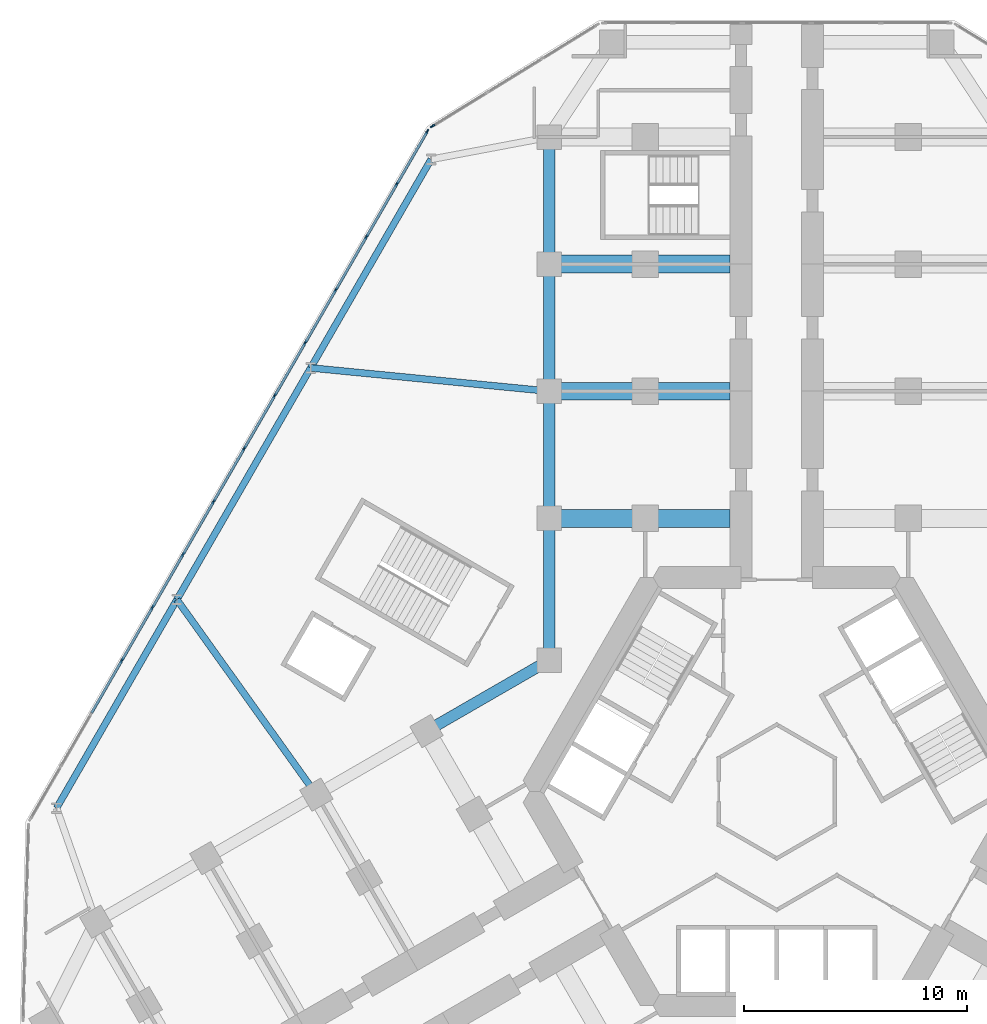
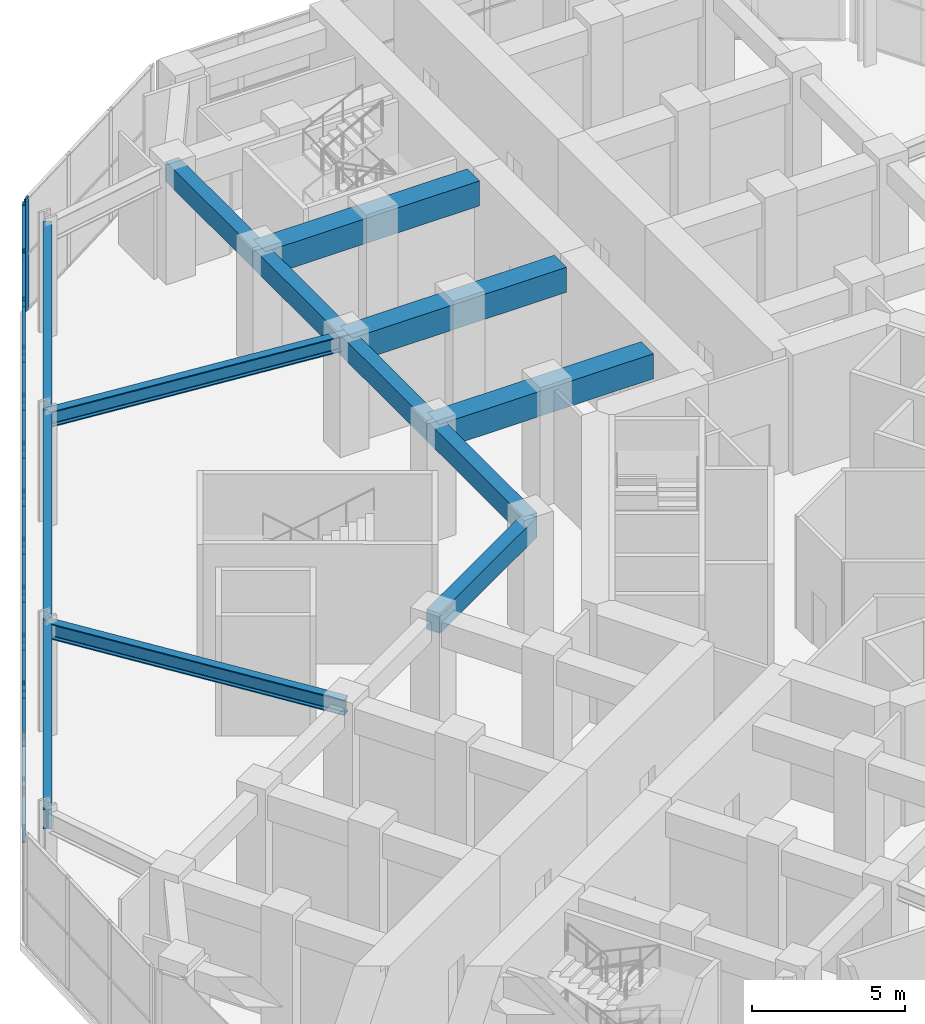
# One storey, part 7 of 22: 45 members, 13 beams, 2 elements without a shape of their own.
"""IFC4 building model written with IfcOpenShell, lengths in metres."""

from ifc_helpers import new_model, si_unit, direction, frame, origin, origin_2d, place, context, subcontext, project, spatial, rectangle, i_section, extrude, material, material_profile, profile_set, type_object, element, aggregate, save


model = new_model("IFC4")

# Units and contexts
model_context = context("Model", 3, precision=1e-05, world=origin(), true_north=direction((0.0, 1.0)))
body_context = subcontext(model_context, "Body", "Model", "MODEL_VIEW")
ifc_project = project(units=[si_unit("LENGTHUNIT", "METRE"), si_unit("AREAUNIT", "SQUARE_METRE"), si_unit("VOLUMEUNIT", "CUBIC_METRE"), si_unit("PLANEANGLEUNIT", "RADIAN"), si_unit("MASSUNIT", "GRAM", prefix="KILO")], contexts=[model_context])

# Site, building, storey
site_placement = place(None, origin())
site = spatial("IfcSite", under=ifc_project, at=site_placement, CompositionType="ELEMENT")
building_placement = place(site_placement, origin())
building = spatial("IfcBuilding", under=site, at=building_placement, Name="Kosmar Iwan School Tower", CompositionType="ELEMENT")
storey_placement = place(building_placement, frame((0.0, 0.0, 10.800048828125)))
storey = spatial("IfcBuildingStorey", under=building, at=storey_placement, Name="L02", CompositionType="ELEMENT", Elevation=10.800048828125)

# Beams
ifc_material_1 = material(Name="Steel S355", Category="steel")
ifc_material_profile_1 = material_profile(ifc_material_1, i_section(OverallWidth=0.300048828125, OverallDepth=0.800048828125, WebThickness=0.017578125, FlangeThickness=0.032958984375, FilletRadius=0.030029296875, at=origin_2d()), Name="HE 800 B")
ifc_profile_set_1 = profile_set([ifc_material_profile_1], Name="Steel S355")
beam_type_1 = type_object("IfcBeamType", Name="Infill edge beam HE 800 B", PredefinedType="BEAM", material=ifc_profile_set_1)
beam_1_placement = place(storey_placement, frame((-32.30224609375, -0.749267578125, 4.099853515625), z_axis=(0.499995103361, 0.866028230842, 0.0), x_axis=(-0.866028230842, 0.499995103361, 0.0)))
element("IfcBeam", 1, at=beam_1_placement, inside=storey, type_object=beam_type_1, Name="Infill edge beam AB2", PredefinedType="BEAM", context=body_context, shape_type="SweptSolid", body=[
    extrude(i_section(OverallWidth=0.300048828125, OverallDepth=0.800048828125, WebThickness=0.017578125, FlangeThickness=0.032958984375, FilletRadius=0.030029296875, at=origin_2d()), origin(), (0.0, 0.0, 1.0), 10.7998046875),
])
beam_2_placement = place(storey_placement, frame((-26.90234375, 8.603759765625, 4.099853515625), z_axis=(0.49999894854, 0.866026010844, 0.0), x_axis=(-0.866026010844, 0.49999894854, 0.0)))
element("IfcBeam", 2, at=beam_2_placement, inside=storey, type_object=beam_type_1, Name="Infill edge beam AB3", PredefinedType="BEAM", context=body_context, shape_type="SweptSolid", body=[
    extrude(i_section(OverallWidth=0.300048828125, OverallDepth=0.800048828125, WebThickness=0.017578125, FlangeThickness=0.032958984375, FilletRadius=0.030029296875, at=origin_2d()), origin(), (0.0, 0.0, 1.0), 12.0),
])
beam_3_placement = place(storey_placement, frame((-20.90234375, 18.99609375, 4.099853515625), z_axis=(0.500012057535, 0.866018442252, 0.0), x_axis=(-0.866018442252, 0.500012057535, 0.0)))
element("IfcBeam", 3, at=beam_3_placement, inside=storey, type_object=beam_type_1, Name="Infill edge beam AB4", PredefinedType="BEAM", context=body_context, shape_type="SweptSolid", body=[
    extrude(i_section(OverallWidth=0.300048828125, OverallDepth=0.800048828125, WebThickness=0.017578125, FlangeThickness=0.032958984375, FilletRadius=0.030029296875, at=origin_2d()), origin(), (0.0, 0.0, 1.0), 10.800048828125),
])
ifc_material_2 = material(Name="Steel S355", Category="steel")
ifc_material_profile_2 = material_profile(ifc_material_2, i_section(OverallWidth=0.304931640625, OverallDepth=0.6201171875, WebThickness=0.02099609375, FlangeThickness=0.0400390625, FilletRadius=0.027099609375, at=origin_2d()), Name="HE 600 M")
ifc_profile_set_2 = profile_set([ifc_material_profile_2], Name="Steel S355")
beam_type_2 = type_object("IfcBeamType", Name="Infill girder HE 600 M", PredefinedType="BEAM", material=ifc_profile_set_2)
beam_4_placement = place(storey_placement, frame((-26.90234375, 8.603759765625, 4.18994140625), z_axis=(0.58187801822, -0.813276073614, 0.0), x_axis=(0.813276073614, 0.58187801822, 0.0)))
element("IfcBeam", 4, at=beam_4_placement, inside=storey, type_object=beam_type_2, Name="Infill girder AB2", PredefinedType="BEAM", context=body_context, shape_type="SweptSolid", body=[
    extrude(i_section(OverallWidth=0.304931640625, OverallDepth=0.6201171875, WebThickness=0.02099609375, FlangeThickness=0.0400390625, FilletRadius=0.027099609375, at=origin_2d()), origin(), (0.0, 0.0, 1.0), 10.753173828125),
])
beam_5_placement = place(storey_placement, frame((-20.90234375, 18.99609375, 4.18994140625), z_axis=(0.995256582335, -0.09728481546, 0.0), x_axis=(0.09728481546, 0.995256582335, 0.0)))
element("IfcBeam", 5, at=beam_5_placement, inside=storey, type_object=beam_type_2, Name="Infill girder AB3", PredefinedType="BEAM", context=body_context, shape_type="SweptSolid", body=[
    extrude(i_section(OverallWidth=0.304931640625, OverallDepth=0.6201171875, WebThickness=0.02099609375, FlangeThickness=0.0400390625, FilletRadius=0.027099609375, at=origin_2d()), origin(), (0.0, 0.0, 1.0), 10.75341796875),
])

# Curtain wall, member
ifc_material_3 = material(Name="Dark glass in black aluminium frame", Category="aluminium")
curtain_wall_type = type_object("IfcCurtainWallType", Name="Podium curtain wall", PredefinedType="USERDEFINED", material=ifc_material_3)
curtain_wall_1_placement = place(storey_placement, origin())
curtain_wall_1 = element("IfcCurtainWall", 6, at=curtain_wall_1_placement, inside=storey, type_object=curtain_wall_type, Name="Curtain wall L02-F07", ObjectType="STICK CURTAIN WALL", PredefinedType="USERDEFINED")
ifc_material_4 = material(Name="Black anodised aluminium", Category="aluminium")
ifc_material_profile_3 = material_profile(ifc_material_4, rectangle(XDim=0.06494140625, YDim=0.219970703125, at=origin_2d()), Name="MULLION 65x220")
ifc_profile_set_3 = profile_set([ifc_material_profile_3], Name="Black anodised aluminium")
member_type_1 = type_object("IfcMemberType", Name="Podium mullion 65x220", PredefinedType="MULLION", material=ifc_profile_set_3)
member_1_placement = place(storey_placement, frame((-15.433837890625, 29.84423828125, 0.0), z_axis=(0.0, 0.0, 1.0), x_axis=(0.524381722801, -0.851483299186, 0.0)))
member_1 = element("IfcMember", 7, at=member_1_placement, type_object=member_type_1, Name="CW3 mullion 4", PredefinedType="MULLION", context=body_context, shape_type="SweptSolid", body=[
    extrude(rectangle(XDim=0.06494140625, YDim=0.219970703125, at=origin_2d()), origin(), (0.0, 0.0, 1.0), 4.5),
])
aggregate(curtain_wall_1, [member_1])

# Curtain wall, members
curtain_wall_2_placement = place(storey_placement, origin())
curtain_wall_2 = element("IfcCurtainWall", 8, at=curtain_wall_2_placement, inside=storey, type_object=curtain_wall_type, Name="Curtain wall L02-F08", ObjectType="STICK CURTAIN WALL", PredefinedType="USERDEFINED")
member_2_placement = place(storey_placement, frame((-15.680419921875, 29.590576171875, 0.0), z_axis=(0.0, 0.0, 1.0), x_axis=(0.866025390869, -0.50000002237, 0.0)))
member_2 = element("IfcMember", 9, at=member_2_placement, type_object=member_type_1, Name="CW3 mullion 1", PredefinedType="MULLION", context=body_context, shape_type="SweptSolid", body=[
    extrude(rectangle(XDim=0.06494140625, YDim=0.219970703125, at=origin_2d()), origin(), (0.0, 0.0, 1.0), 4.5),
])
member_3_placement = place(storey_placement, frame((-17.034912109375, 27.24462890625, 0.0), z_axis=(0.0, 0.0, 1.0), x_axis=(0.866025390869, -0.50000002237, 0.0)))
member_3 = element("IfcMember", 10, at=member_3_placement, type_object=member_type_1, Name="CW3 mullion 2", PredefinedType="MULLION", context=body_context, shape_type="SweptSolid", body=[
    extrude(rectangle(XDim=0.06494140625, YDim=0.219970703125, at=origin_2d()), origin(), (0.0, 0.0, 1.0), 4.5),
])
member_4_placement = place(storey_placement, frame((-18.405517578125, 24.87060546875, 0.0), z_axis=(0.0, 0.0, 1.0), x_axis=(0.866025390869, -0.50000002237, 0.0)))
member_4 = element("IfcMember", 11, at=member_4_placement, type_object=member_type_1, Name="CW3 mullion 3", PredefinedType="MULLION", context=body_context, shape_type="SweptSolid", body=[
    extrude(rectangle(XDim=0.06494140625, YDim=0.219970703125, at=origin_2d()), origin(), (0.0, 0.0, 1.0), 4.5),
])
member_5_placement = place(storey_placement, frame((-19.776123046875, 22.49658203125, 0.0), z_axis=(0.0, 0.0, 1.0), x_axis=(0.866025390869, -0.50000002237, 0.0)))
member_5 = element("IfcMember", 12, at=member_5_placement, type_object=member_type_1, Name="CW3 mullion 4", PredefinedType="MULLION", context=body_context, shape_type="SweptSolid", body=[
    extrude(rectangle(XDim=0.06494140625, YDim=0.219970703125, at=origin_2d()), origin(), (0.0, 0.0, 1.0), 4.5),
])
member_6_placement = place(storey_placement, frame((-21.14697265625, 20.12255859375, 0.0), z_axis=(0.0, 0.0, 1.0), x_axis=(0.866025390869, -0.50000002237, 0.0)))
member_6 = element("IfcMember", 13, at=member_6_placement, type_object=member_type_1, Name="CW3 mullion 5", PredefinedType="MULLION", context=body_context, shape_type="SweptSolid", body=[
    extrude(rectangle(XDim=0.06494140625, YDim=0.219970703125, at=origin_2d()), origin(), (0.0, 0.0, 1.0), 4.5),
])
member_7_placement = place(storey_placement, frame((-22.517578125, 17.74853515625, 0.0), z_axis=(0.0, 0.0, 1.0), x_axis=(0.866025390869, -0.50000002237, 0.0)))
member_7 = element("IfcMember", 14, at=member_7_placement, type_object=member_type_1, Name="CW3 mullion 6", PredefinedType="MULLION", context=body_context, shape_type="SweptSolid", body=[
    extrude(rectangle(XDim=0.06494140625, YDim=0.219970703125, at=origin_2d()), origin(), (0.0, 0.0, 1.0), 4.5),
])
member_8_placement = place(storey_placement, frame((-23.88818359375, 15.37451171875, 0.0), z_axis=(0.0, 0.0, 1.0), x_axis=(0.866025390869, -0.50000002237, 0.0)))
member_8 = element("IfcMember", 15, at=member_8_placement, type_object=member_type_1, Name="CW3 mullion 7", PredefinedType="MULLION", context=body_context, shape_type="SweptSolid", body=[
    extrude(rectangle(XDim=0.06494140625, YDim=0.219970703125, at=origin_2d()), origin(), (0.0, 0.0, 1.0), 4.5),
])
member_9_placement = place(storey_placement, frame((-25.2587890625, 13.00048828125, 0.0), z_axis=(0.0, 0.0, 1.0), x_axis=(0.866025390869, -0.50000002237, 0.0)))
member_9 = element("IfcMember", 16, at=member_9_placement, type_object=member_type_1, Name="CW3 mullion 8", PredefinedType="MULLION", context=body_context, shape_type="SweptSolid", body=[
    extrude(rectangle(XDim=0.06494140625, YDim=0.219970703125, at=origin_2d()), origin(), (0.0, 0.0, 1.0), 4.5),
])
member_10_placement = place(storey_placement, frame((-26.62939453125, 10.62646484375, 0.0), z_axis=(0.0, 0.0, 1.0), x_axis=(0.866025390869, -0.50000002237, 0.0)))
member_10 = element("IfcMember", 17, at=member_10_placement, type_object=member_type_1, Name="CW3 mullion 9", PredefinedType="MULLION", context=body_context, shape_type="SweptSolid", body=[
    extrude(rectangle(XDim=0.06494140625, YDim=0.219970703125, at=origin_2d()), origin(), (0.0, 0.0, 1.0), 4.5),
])
member_11_placement = place(storey_placement, frame((-28.0, 8.25244140625, 0.0), z_axis=(0.0, 0.0, 1.0), x_axis=(0.866025390869, -0.50000002237, 0.0)))
member_11 = element("IfcMember", 18, at=member_11_placement, type_object=member_type_1, Name="CW3 mullion 10", PredefinedType="MULLION", context=body_context, shape_type="SweptSolid", body=[
    extrude(rectangle(XDim=0.06494140625, YDim=0.219970703125, at=origin_2d()), origin(), (0.0, 0.0, 1.0), 4.5),
])
member_12_placement = place(storey_placement, frame((-29.370849609375, 5.87841796875, 0.0), z_axis=(0.0, 0.0, 1.0), x_axis=(0.866025390869, -0.50000002237, 0.0)))
member_12 = element("IfcMember", 19, at=member_12_placement, type_object=member_type_1, Name="CW3 mullion 11", PredefinedType="MULLION", context=body_context, shape_type="SweptSolid", body=[
    extrude(rectangle(XDim=0.06494140625, YDim=0.219970703125, at=origin_2d()), origin(), (0.0, 0.0, 1.0), 4.5),
])

# Beams
ifc_material_5 = material(Name="Concrete C50/60", Category="concrete")
ifc_material_profile_4 = material_profile(ifc_material_5, rectangle(XDim=0.5, YDim=0.800048828125, at=origin_2d()), Name="RC 500x800")
ifc_profile_set_4 = profile_set([ifc_material_profile_4], Name="Concrete C50/60")
beam_type_3 = type_object("IfcBeamType", Name="RC edge beam 500x800", PredefinedType="BEAM", material=ifc_profile_set_4)
beam_6_placement = place(storey_placement, frame((-10.199951171875, 5.888916015625, 4.099853515625), z_axis=(0.0, 1.0, 0.0), x_axis=(-1.0, 0.0, 0.0)))
element("IfcBeam", 20, at=beam_6_placement, inside=storey, type_object=beam_type_3, Name="Edge beam AL1", PredefinedType="BEAM", context=body_context, shape_type="SweptSolid", body=[
    extrude(rectangle(XDim=0.5, YDim=0.800048828125, at=origin_2d()), origin(), (0.0, 0.0, 1.0), 6.361083984375),
])
for number, where, z_axis, x_axis, name in (
    (21, (-10.199951171875, 12.25, 4.099853515625), (0.0, 1.0, 0.0), (-1.0, 0.0, 0.0), "Edge beam AL2"),
    (22, (-10.199951171875, 17.949951171875, 4.099853515625), (0.0, 1.0, 0.0), (-1.0, 0.0, 0.0), "Edge beam AL3"),
):
    element("IfcBeam", number, at=place(storey_placement, frame(where, z_axis=z_axis, x_axis=x_axis)), inside=storey, type_object=beam_type_3, Name=name, PredefinedType="BEAM", context=body_context, shape_type="SweptSolid", body=[
        extrude(rectangle(XDim=0.5, YDim=0.800048828125, at=origin_2d()), origin(), (0.0, 0.0, 1.0), 5.699951171875),
    ])
beam_7_placement = place(storey_placement, frame((-10.199951171875, 23.64990234375, 4.099853515625), z_axis=(0.0, 1.0, 0.0), x_axis=(-1.0, 0.0, 0.0)))
element("IfcBeam", 23, at=beam_7_placement, inside=storey, type_object=beam_type_3, Name="Edge beam AL4", PredefinedType="BEAM", context=body_context, shape_type="SweptSolid", body=[
    extrude(rectangle(XDim=0.5, YDim=0.800048828125, at=origin_2d()), origin(), (0.0, 0.0, 1.0), 5.7001953125),
])
beam_8_placement = place(storey_placement, frame((-10.199951171875, 5.888916015625, 4.099853515625), z_axis=(-0.866030912664, -0.49999045822, 0.0), x_axis=(0.49999045822, -0.866030912664, 0.0)))
element("IfcBeam", 24, at=beam_8_placement, inside=storey, type_object=beam_type_3, Name="Edge beam BR1", PredefinedType="BEAM", context=body_context, shape_type="SweptSolid", body=[
    extrude(rectangle(XDim=0.5, YDim=0.800048828125, at=origin_2d()), origin(), (0.0, 0.0, 1.0), 6.36083984375),
])
ifc_material_6 = material(Name="Concrete C50/60", Category="concrete")
ifc_material_profile_5 = material_profile(ifc_material_6, rectangle(XDim=0.800048828125, YDim=1.0, at=origin_2d()), Name="RC 800x1000")
ifc_profile_set_5 = profile_set([ifc_material_profile_5], Name="Concrete C50/60")
beam_type_4 = type_object("IfcBeamType", Name="RC transverse beam 800x1000", PredefinedType="BEAM", material=ifc_profile_set_5)
for number, where, z_axis, x_axis, name in (
    (25, (-10.199951171875, 12.25, 4.0), (1.0, 0.0, 0.0), (0.0, 1.0, 0.0), "Transverse beam AL1"),
    (26, (-10.199951171875, 17.949951171875, 4.0), (1.0, 0.0, 0.0), (0.0, 1.0, 0.0), "Transverse beam AL2"),
    (27, (-10.199951171875, 23.64990234375, 4.0), (1.0, 0.0, 0.0), (0.0, 1.0, 0.0), "Transverse beam AL3"),
):
    element("IfcBeam", number, at=place(storey_placement, frame(where, z_axis=z_axis, x_axis=x_axis)), inside=storey, type_object=beam_type_4, Name=name, PredefinedType="BEAM", context=body_context, shape_type="SweptSolid", body=[
        extrude(rectangle(XDim=0.800048828125, YDim=1.0, at=origin_2d()), origin(), (0.0, 0.0, 1.0), 8.099853515625),
    ])

# Member
ifc_material_7 = material(Name="Black anodised aluminium", Category="aluminium")
ifc_material_profile_6 = material_profile(ifc_material_7, rectangle(XDim=0.1201171875, YDim=0.06005859375, at=origin_2d()), Name="TRANSOM 60x120")
ifc_profile_set_6 = profile_set([ifc_material_profile_6], Name="Black anodised aluminium")
member_type_2 = type_object("IfcMemberType", Name="Transom 60x120", PredefinedType="USERDEFINED", material=ifc_profile_set_6)
member_13_placement = place(storey_placement, frame((-15.69677734375, 29.5625, 0.030029296875), z_axis=(-0.499932946999, -0.866064113392, 0.0), x_axis=(0.866064113392, -0.499932946999, 0.0)))
member_13 = element("IfcMember", 28, at=member_13_placement, type_object=member_type_2, Name="CW3 transom 1.1", ObjectType="TRANSOM", PredefinedType="USERDEFINED", context=body_context, shape_type="SweptSolid", body=[
    extrude(rectangle(XDim=0.1201171875, YDim=0.06005859375, at=origin_2d()), origin(), (0.0, 0.0, 1.0), 2.643798828125),
])

member_14_placement = place(storey_placement, frame((-15.69677734375, 29.5625, 2.25), z_axis=(-0.499932946999, -0.866064113392, 0.0), x_axis=(0.866064113392, -0.499932946999, 0.0)))
member_14 = element("IfcMember", 29, at=member_14_placement, type_object=member_type_2, Name="CW3 transom 1.2", ObjectType="TRANSOM", PredefinedType="USERDEFINED", context=body_context, shape_type="SweptSolid", body=[
    extrude(rectangle(XDim=0.1201171875, YDim=0.06005859375, at=origin_2d()), origin(), (0.0, 0.0, 1.0), 2.643798828125),
])

member_15_placement = place(storey_placement, frame((-15.69677734375, 29.5625, 4.469970703125), z_axis=(-0.499932946999, -0.866064113392, 0.0), x_axis=(0.866064113392, -0.499932946999, 0.0)))
member_15 = element("IfcMember", 30, at=member_15_placement, type_object=member_type_2, Name="CW3 transom 1.3", ObjectType="TRANSOM", PredefinedType="USERDEFINED", context=body_context, shape_type="SweptSolid", body=[
    extrude(rectangle(XDim=0.1201171875, YDim=0.06005859375, at=origin_2d()), origin(), (0.0, 0.0, 1.0), 2.643798828125),
])

member_16_placement = place(storey_placement, frame((-17.05126953125, 27.216552734375, 0.030029296875), z_axis=(-0.499975134057, -0.866039759667, 0.0), x_axis=(0.866039759667, -0.499975134057, 0.0)))
member_16 = element("IfcMember", 31, at=member_16_placement, type_object=member_type_2, Name="CW3 transom 2.1", ObjectType="TRANSOM", PredefinedType="USERDEFINED", context=body_context, shape_type="SweptSolid", body=[
    extrude(rectangle(XDim=0.1201171875, YDim=0.06005859375, at=origin_2d()), origin(), (0.0, 0.0, 1.0), 2.676513671875),
])

member_17_placement = place(storey_placement, frame((-17.05126953125, 27.216552734375, 2.25), z_axis=(-0.499975134057, -0.866039759667, 0.0), x_axis=(0.866039759667, -0.499975134057, 0.0)))
member_17 = element("IfcMember", 32, at=member_17_placement, type_object=member_type_2, Name="CW3 transom 2.2", ObjectType="TRANSOM", PredefinedType="USERDEFINED", context=body_context, shape_type="SweptSolid", body=[
    extrude(rectangle(XDim=0.1201171875, YDim=0.06005859375, at=origin_2d()), origin(), (0.0, 0.0, 1.0), 2.676513671875),
])

member_18_placement = place(storey_placement, frame((-17.05126953125, 27.216552734375, 4.469970703125), z_axis=(-0.499975134057, -0.866039759667, 0.0), x_axis=(0.866039759667, -0.499975134057, 0.0)))
member_18 = element("IfcMember", 33, at=member_18_placement, type_object=member_type_2, Name="CW3 transom 2.3", ObjectType="TRANSOM", PredefinedType="USERDEFINED", context=body_context, shape_type="SweptSolid", body=[
    extrude(rectangle(XDim=0.1201171875, YDim=0.06005859375, at=origin_2d()), origin(), (0.0, 0.0, 1.0), 2.676513671875),
])

member_19_placement = place(storey_placement, frame((-18.421875, 24.842529296875, 0.030029296875), z_axis=(-0.499975134057, -0.866039759667, 0.0), x_axis=(0.866039759667, -0.499975134057, 0.0)))
member_19 = element("IfcMember", 34, at=member_19_placement, type_object=member_type_2, Name="CW3 transom 3.1", ObjectType="TRANSOM", PredefinedType="USERDEFINED", context=body_context, shape_type="SweptSolid", body=[
    extrude(rectangle(XDim=0.1201171875, YDim=0.06005859375, at=origin_2d()), origin(), (0.0, 0.0, 1.0), 2.676513671875),
])

member_20_placement = place(storey_placement, frame((-18.421875, 24.842529296875, 2.25), z_axis=(-0.499975134057, -0.866039759667, 0.0), x_axis=(0.866039759667, -0.499975134057, 0.0)))
member_20 = element("IfcMember", 35, at=member_20_placement, type_object=member_type_2, Name="CW3 transom 3.2", ObjectType="TRANSOM", PredefinedType="USERDEFINED", context=body_context, shape_type="SweptSolid", body=[
    extrude(rectangle(XDim=0.1201171875, YDim=0.06005859375, at=origin_2d()), origin(), (0.0, 0.0, 1.0), 2.676513671875),
])

member_21_placement = place(storey_placement, frame((-18.421875, 24.842529296875, 4.469970703125), z_axis=(-0.499975134057, -0.866039759667, 0.0), x_axis=(0.866039759667, -0.499975134057, 0.0)))
member_21 = element("IfcMember", 36, at=member_21_placement, type_object=member_type_2, Name="CW3 transom 3.3", ObjectType="TRANSOM", PredefinedType="USERDEFINED", context=body_context, shape_type="SweptSolid", body=[
    extrude(rectangle(XDim=0.1201171875, YDim=0.06005859375, at=origin_2d()), origin(), (0.0, 0.0, 1.0), 2.676513671875),
])

member_22_placement = place(storey_placement, frame((-19.79248046875, 22.468505859375, 0.030029296875), z_axis=(-0.499975134057, -0.866039759667, 0.0), x_axis=(0.866039759667, -0.499975134057, 0.0)))
member_22 = element("IfcMember", 37, at=member_22_placement, type_object=member_type_2, Name="CW3 transom 4.1", ObjectType="TRANSOM", PredefinedType="USERDEFINED", context=body_context, shape_type="SweptSolid", body=[
    extrude(rectangle(XDim=0.1201171875, YDim=0.06005859375, at=origin_2d()), origin(), (0.0, 0.0, 1.0), 2.676513671875),
])

member_23_placement = place(storey_placement, frame((-19.79248046875, 22.468505859375, 2.25), z_axis=(-0.499975134057, -0.866039759667, 0.0), x_axis=(0.866039759667, -0.499975134057, 0.0)))
member_23 = element("IfcMember", 38, at=member_23_placement, type_object=member_type_2, Name="CW3 transom 4.2", ObjectType="TRANSOM", PredefinedType="USERDEFINED", context=body_context, shape_type="SweptSolid", body=[
    extrude(rectangle(XDim=0.1201171875, YDim=0.06005859375, at=origin_2d()), origin(), (0.0, 0.0, 1.0), 2.676513671875),
])

member_24_placement = place(storey_placement, frame((-19.79248046875, 22.468505859375, 4.469970703125), z_axis=(-0.499975134057, -0.866039759667, 0.0), x_axis=(0.866039759667, -0.499975134057, 0.0)))
member_24 = element("IfcMember", 39, at=member_24_placement, type_object=member_type_2, Name="CW3 transom 4.3", ObjectType="TRANSOM", PredefinedType="USERDEFINED", context=body_context, shape_type="SweptSolid", body=[
    extrude(rectangle(XDim=0.1201171875, YDim=0.06005859375, at=origin_2d()), origin(), (0.0, 0.0, 1.0), 2.676513671875),
])

member_25_placement = place(storey_placement, frame((-21.1630859375, 20.094482421875, 0.030029296875), z_axis=(-0.499975134057, -0.866039759667, 0.0), x_axis=(0.866039759667, -0.499975134057, 0.0)))
member_25 = element("IfcMember", 40, at=member_25_placement, type_object=member_type_2, Name="CW3 transom 5.1", ObjectType="TRANSOM", PredefinedType="USERDEFINED", context=body_context, shape_type="SweptSolid", body=[
    extrude(rectangle(XDim=0.1201171875, YDim=0.06005859375, at=origin_2d()), origin(), (0.0, 0.0, 1.0), 2.676513671875),
])

member_26_placement = place(storey_placement, frame((-21.1630859375, 20.094482421875, 2.25), z_axis=(-0.499975134057, -0.866039759667, 0.0), x_axis=(0.866039759667, -0.499975134057, 0.0)))
member_26 = element("IfcMember", 41, at=member_26_placement, type_object=member_type_2, Name="CW3 transom 5.2", ObjectType="TRANSOM", PredefinedType="USERDEFINED", context=body_context, shape_type="SweptSolid", body=[
    extrude(rectangle(XDim=0.1201171875, YDim=0.06005859375, at=origin_2d()), origin(), (0.0, 0.0, 1.0), 2.676513671875),
])

member_27_placement = place(storey_placement, frame((-21.1630859375, 20.094482421875, 4.469970703125), z_axis=(-0.499975134057, -0.866039759667, 0.0), x_axis=(0.866039759667, -0.499975134057, 0.0)))
member_27 = element("IfcMember", 42, at=member_27_placement, type_object=member_type_2, Name="CW3 transom 5.3", ObjectType="TRANSOM", PredefinedType="USERDEFINED", context=body_context, shape_type="SweptSolid", body=[
    extrude(rectangle(XDim=0.1201171875, YDim=0.06005859375, at=origin_2d()), origin(), (0.0, 0.0, 1.0), 2.676513671875),
])

member_28_placement = place(storey_placement, frame((-22.53369140625, 17.720458984375, 0.030029296875), z_axis=(-0.499975134057, -0.866039759667, 0.0), x_axis=(0.866039759667, -0.499975134057, 0.0)))
member_28 = element("IfcMember", 43, at=member_28_placement, type_object=member_type_2, Name="CW3 transom 6.1", ObjectType="TRANSOM", PredefinedType="USERDEFINED", context=body_context, shape_type="SweptSolid", body=[
    extrude(rectangle(XDim=0.1201171875, YDim=0.06005859375, at=origin_2d()), origin(), (0.0, 0.0, 1.0), 2.676513671875),
])

member_29_placement = place(storey_placement, frame((-22.53369140625, 17.720458984375, 2.25), z_axis=(-0.499975134057, -0.866039759667, 0.0), x_axis=(0.866039759667, -0.499975134057, 0.0)))
member_29 = element("IfcMember", 44, at=member_29_placement, type_object=member_type_2, Name="CW3 transom 6.2", ObjectType="TRANSOM", PredefinedType="USERDEFINED", context=body_context, shape_type="SweptSolid", body=[
    extrude(rectangle(XDim=0.1201171875, YDim=0.06005859375, at=origin_2d()), origin(), (0.0, 0.0, 1.0), 2.676513671875),
])

member_30_placement = place(storey_placement, frame((-22.53369140625, 17.720458984375, 4.469970703125), z_axis=(-0.499975134057, -0.866039759667, 0.0), x_axis=(0.866039759667, -0.499975134057, 0.0)))
member_30 = element("IfcMember", 45, at=member_30_placement, type_object=member_type_2, Name="CW3 transom 6.3", ObjectType="TRANSOM", PredefinedType="USERDEFINED", context=body_context, shape_type="SweptSolid", body=[
    extrude(rectangle(XDim=0.1201171875, YDim=0.06005859375, at=origin_2d()), origin(), (0.0, 0.0, 1.0), 2.676513671875),
])

member_31_placement = place(storey_placement, frame((-23.904296875, 15.346435546875, 0.030029296875), z_axis=(-0.499975134057, -0.866039759667, 0.0), x_axis=(0.866039759667, -0.499975134057, 0.0)))
member_31 = element("IfcMember", 46, at=member_31_placement, type_object=member_type_2, Name="CW3 transom 7.1", ObjectType="TRANSOM", PredefinedType="USERDEFINED", context=body_context, shape_type="SweptSolid", body=[
    extrude(rectangle(XDim=0.1201171875, YDim=0.06005859375, at=origin_2d()), origin(), (0.0, 0.0, 1.0), 2.676513671875),
])

member_32_placement = place(storey_placement, frame((-23.904296875, 15.346435546875, 2.25), z_axis=(-0.499975134057, -0.866039759667, 0.0), x_axis=(0.866039759667, -0.499975134057, 0.0)))
member_32 = element("IfcMember", 47, at=member_32_placement, type_object=member_type_2, Name="CW3 transom 7.2", ObjectType="TRANSOM", PredefinedType="USERDEFINED", context=body_context, shape_type="SweptSolid", body=[
    extrude(rectangle(XDim=0.1201171875, YDim=0.06005859375, at=origin_2d()), origin(), (0.0, 0.0, 1.0), 2.676513671875),
])

member_33_placement = place(storey_placement, frame((-23.904296875, 15.346435546875, 4.469970703125), z_axis=(-0.499975134057, -0.866039759667, 0.0), x_axis=(0.866039759667, -0.499975134057, 0.0)))
member_33 = element("IfcMember", 48, at=member_33_placement, type_object=member_type_2, Name="CW3 transom 7.3", ObjectType="TRANSOM", PredefinedType="USERDEFINED", context=body_context, shape_type="SweptSolid", body=[
    extrude(rectangle(XDim=0.1201171875, YDim=0.06005859375, at=origin_2d()), origin(), (0.0, 0.0, 1.0), 2.676513671875),
])

member_34_placement = place(storey_placement, frame((-25.275146484375, 12.972412109375, 0.030029296875), z_axis=(-0.499975134057, -0.866039759667, 0.0), x_axis=(0.866039759667, -0.499975134057, 0.0)))
member_34 = element("IfcMember", 49, at=member_34_placement, type_object=member_type_2, Name="CW3 transom 8.1", ObjectType="TRANSOM", PredefinedType="USERDEFINED", context=body_context, shape_type="SweptSolid", body=[
    extrude(rectangle(XDim=0.1201171875, YDim=0.06005859375, at=origin_2d()), origin(), (0.0, 0.0, 1.0), 2.676513671875),
])

member_35_placement = place(storey_placement, frame((-25.275146484375, 12.972412109375, 2.25), z_axis=(-0.499975134057, -0.866039759667, 0.0), x_axis=(0.866039759667, -0.499975134057, 0.0)))
member_35 = element("IfcMember", 50, at=member_35_placement, type_object=member_type_2, Name="CW3 transom 8.2", ObjectType="TRANSOM", PredefinedType="USERDEFINED", context=body_context, shape_type="SweptSolid", body=[
    extrude(rectangle(XDim=0.1201171875, YDim=0.06005859375, at=origin_2d()), origin(), (0.0, 0.0, 1.0), 2.676513671875),
])

member_36_placement = place(storey_placement, frame((-25.275146484375, 12.972412109375, 4.469970703125), z_axis=(-0.499975134057, -0.866039759667, 0.0), x_axis=(0.866039759667, -0.499975134057, 0.0)))
member_36 = element("IfcMember", 51, at=member_36_placement, type_object=member_type_2, Name="CW3 transom 8.3", ObjectType="TRANSOM", PredefinedType="USERDEFINED", context=body_context, shape_type="SweptSolid", body=[
    extrude(rectangle(XDim=0.1201171875, YDim=0.06005859375, at=origin_2d()), origin(), (0.0, 0.0, 1.0), 2.676513671875),
])

member_37_placement = place(storey_placement, frame((-26.645751953125, 10.598388671875, 0.030029296875), z_axis=(-0.499975134057, -0.866039759667, 0.0), x_axis=(0.866039759667, -0.499975134057, 0.0)))
member_37 = element("IfcMember", 52, at=member_37_placement, type_object=member_type_2, Name="CW3 transom 9.1", ObjectType="TRANSOM", PredefinedType="USERDEFINED", context=body_context, shape_type="SweptSolid", body=[
    extrude(rectangle(XDim=0.1201171875, YDim=0.06005859375, at=origin_2d()), origin(), (0.0, 0.0, 1.0), 2.676513671875),
])

member_38_placement = place(storey_placement, frame((-26.645751953125, 10.598388671875, 2.25), z_axis=(-0.499975134057, -0.866039759667, 0.0), x_axis=(0.866039759667, -0.499975134057, 0.0)))
member_38 = element("IfcMember", 53, at=member_38_placement, type_object=member_type_2, Name="CW3 transom 9.2", ObjectType="TRANSOM", PredefinedType="USERDEFINED", context=body_context, shape_type="SweptSolid", body=[
    extrude(rectangle(XDim=0.1201171875, YDim=0.06005859375, at=origin_2d()), origin(), (0.0, 0.0, 1.0), 2.676513671875),
])

member_39_placement = place(storey_placement, frame((-26.645751953125, 10.598388671875, 4.469970703125), z_axis=(-0.499975134057, -0.866039759667, 0.0), x_axis=(0.866039759667, -0.499975134057, 0.0)))
member_39 = element("IfcMember", 54, at=member_39_placement, type_object=member_type_2, Name="CW3 transom 9.3", ObjectType="TRANSOM", PredefinedType="USERDEFINED", context=body_context, shape_type="SweptSolid", body=[
    extrude(rectangle(XDim=0.1201171875, YDim=0.06005859375, at=origin_2d()), origin(), (0.0, 0.0, 1.0), 2.676513671875),
])

member_40_placement = place(storey_placement, frame((-28.016357421875, 8.224365234375, 0.030029296875), z_axis=(-0.499975134057, -0.866039759667, 0.0), x_axis=(0.866039759667, -0.499975134057, 0.0)))
member_40 = element("IfcMember", 55, at=member_40_placement, type_object=member_type_2, Name="CW3 transom 10.1", ObjectType="TRANSOM", PredefinedType="USERDEFINED", context=body_context, shape_type="SweptSolid", body=[
    extrude(rectangle(XDim=0.1201171875, YDim=0.06005859375, at=origin_2d()), origin(), (0.0, 0.0, 1.0), 2.676513671875),
])

member_41_placement = place(storey_placement, frame((-28.016357421875, 8.224365234375, 2.25), z_axis=(-0.499975134057, -0.866039759667, 0.0), x_axis=(0.866039759667, -0.499975134057, 0.0)))
member_41 = element("IfcMember", 56, at=member_41_placement, type_object=member_type_2, Name="CW3 transom 10.2", ObjectType="TRANSOM", PredefinedType="USERDEFINED", context=body_context, shape_type="SweptSolid", body=[
    extrude(rectangle(XDim=0.1201171875, YDim=0.06005859375, at=origin_2d()), origin(), (0.0, 0.0, 1.0), 2.676513671875),
])

member_42_placement = place(storey_placement, frame((-28.016357421875, 8.224365234375, 4.469970703125), z_axis=(-0.499975134057, -0.866039759667, 0.0), x_axis=(0.866039759667, -0.499975134057, 0.0)))
member_42 = element("IfcMember", 57, at=member_42_placement, type_object=member_type_2, Name="CW3 transom 10.3", ObjectType="TRANSOM", PredefinedType="USERDEFINED", context=body_context, shape_type="SweptSolid", body=[
    extrude(rectangle(XDim=0.1201171875, YDim=0.06005859375, at=origin_2d()), origin(), (0.0, 0.0, 1.0), 2.676513671875),
])

member_43_placement = place(storey_placement, frame((-29.386962890625, 5.850341796875, 0.030029296875), z_axis=(-0.499975134057, -0.866039759667, 0.0), x_axis=(0.866039759667, -0.499975134057, 0.0)))
member_43 = element("IfcMember", 58, at=member_43_placement, type_object=member_type_2, Name="CW3 transom 11.1", ObjectType="TRANSOM", PredefinedType="USERDEFINED", context=body_context, shape_type="SweptSolid", body=[
    extrude(rectangle(XDim=0.1201171875, YDim=0.06005859375, at=origin_2d()), origin(), (0.0, 0.0, 1.0), 2.676513671875),
])

member_44_placement = place(storey_placement, frame((-29.386962890625, 5.850341796875, 2.25), z_axis=(-0.499975134057, -0.866039759667, 0.0), x_axis=(0.866039759667, -0.499975134057, 0.0)))
member_44 = element("IfcMember", 59, at=member_44_placement, type_object=member_type_2, Name="CW3 transom 11.2", ObjectType="TRANSOM", PredefinedType="USERDEFINED", context=body_context, shape_type="SweptSolid", body=[
    extrude(rectangle(XDim=0.1201171875, YDim=0.06005859375, at=origin_2d()), origin(), (0.0, 0.0, 1.0), 2.676513671875),
])

member_45_placement = place(storey_placement, frame((-29.386962890625, 5.850341796875, 4.469970703125), z_axis=(-0.499975134057, -0.866039759667, 0.0), x_axis=(0.866039759667, -0.499975134057, 0.0)))
member_45 = element("IfcMember", 60, at=member_45_placement, type_object=member_type_2, Name="CW3 transom 11.3", ObjectType="TRANSOM", PredefinedType="USERDEFINED", context=body_context, shape_type="SweptSolid", body=[
    extrude(rectangle(XDim=0.1201171875, YDim=0.06005859375, at=origin_2d()), origin(), (0.0, 0.0, 1.0), 2.676513671875),
])

aggregate(curtain_wall_2, [member_2, member_3, member_4, member_5, member_6, member_7, member_8, member_9, member_10, member_11, member_12, member_13, member_14, member_15, member_16, member_17, member_18, member_19, member_20, member_21, member_22, member_23, member_24, member_25, member_26, member_27, member_28, member_29, member_30, member_31, member_32, member_33, member_34, member_35, member_36, member_37, member_38, member_39, member_40, member_41, member_42, member_43, member_44, member_45])

save(model, "model.ifc")
